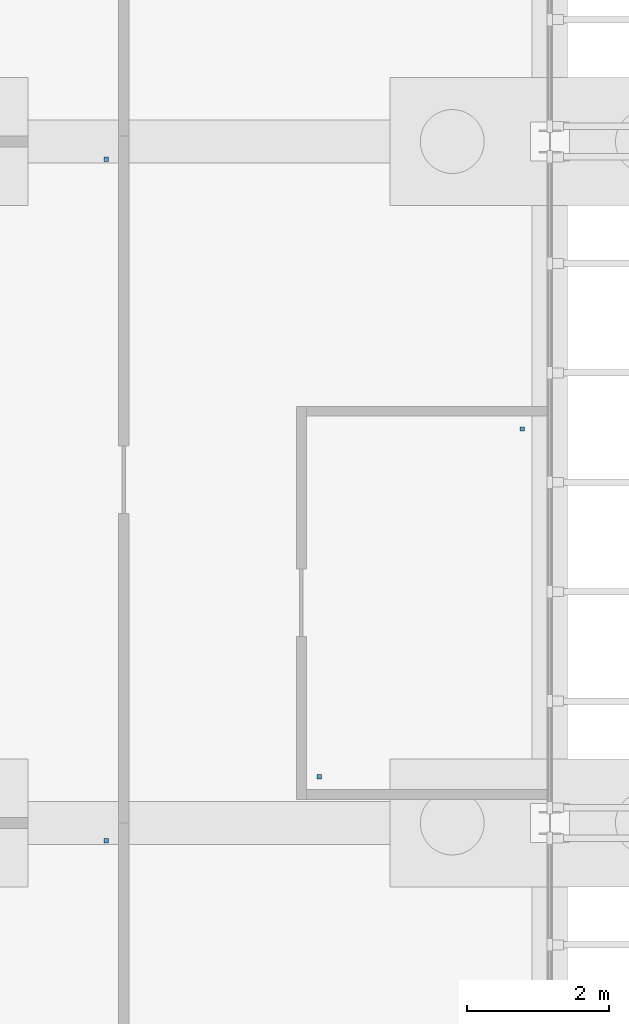
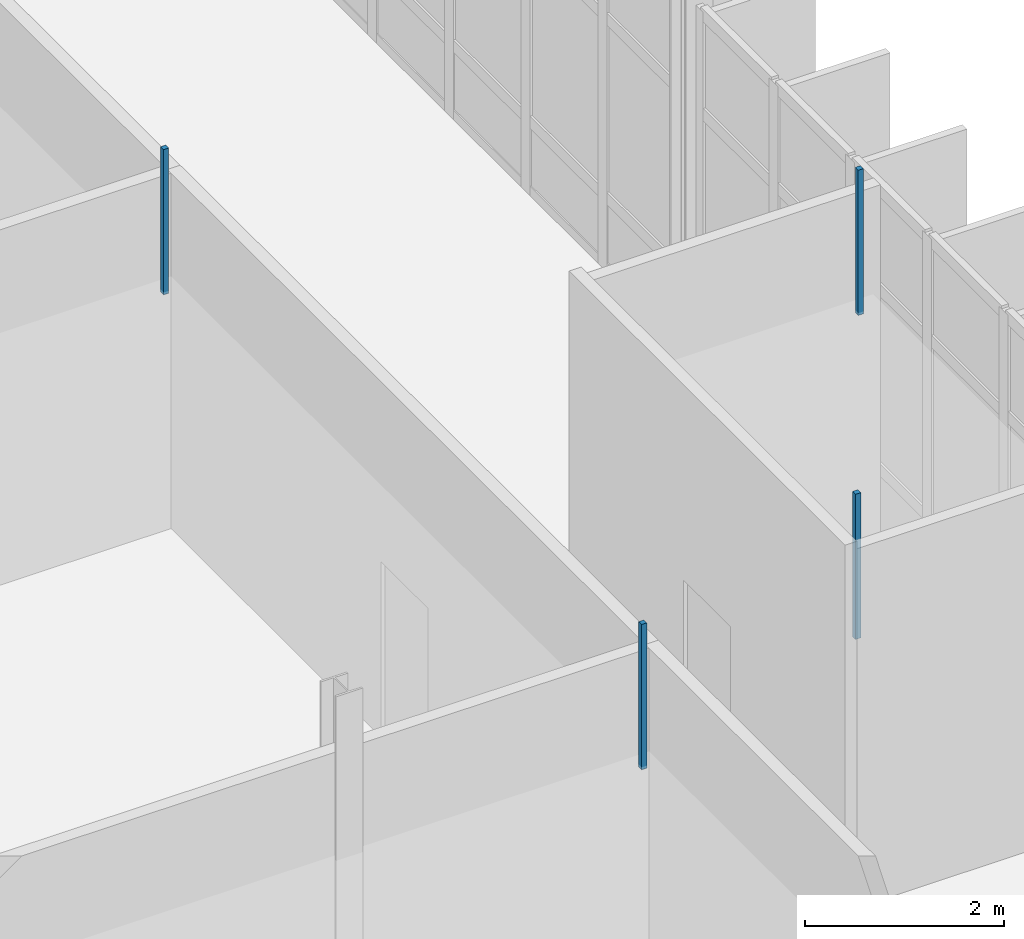
# One storey, part 84 of 111: 4 discrete accessories.
"""IFC4 building model written with IfcOpenShell, lengths in metres."""

from ifc_helpers import new_model, si_unit, direction, frame, origin, place, context, subcontext, project, spatial, polyline, outline, extrude, material, type_object, element, save


model = new_model("IFC4")

# Units and contexts
model_context = context("Model", 3, precision=1e-05, world=origin(), true_north=direction((0.0, 1.0)))
body_context = subcontext(model_context, "Body", "Model", "MODEL_VIEW")
ifc_project = project(units=[si_unit("LENGTHUNIT", "METRE"), si_unit("AREAUNIT", "SQUARE_METRE"), si_unit("VOLUMEUNIT", "CUBIC_METRE"), si_unit("PLANEANGLEUNIT", "RADIAN"), si_unit("MASSUNIT", "GRAM", prefix="KILO")], contexts=[model_context])

# Site, building, storey
site_placement = place(None, origin())
site = spatial("IfcSite", under=ifc_project, at=site_placement, CompositionType="ELEMENT")
building_placement = place(site_placement, origin())
building = spatial("IfcBuilding", under=site, at=building_placement, Name="Dunescarp Central Library", CompositionType="ELEMENT")
storey_placement = place(building_placement, origin())
storey = spatial("IfcBuildingStorey", under=building, at=storey_placement, Name="L00", CompositionType="ELEMENT", Elevation=0.0)

# Discrete accessories
ifc_material = material(Name="Stainless steel Grade 316L", Category="steel")
discrete_accessory_type = type_object("IfcDiscreteAccessoryType", Name="ARC-ACC-BRK", PredefinedType="BRACKET", material=ifc_material)
discrete_accessory_1_placement = place(storey_placement, frame((0.0, 0.0, 3.06005859375)))
element("IfcDiscreteAccessory", 1, at=discrete_accessory_1_placement, inside=storey, type_object=discrete_accessory_type, Name="L00 ceiling hanger CLG-L00-119-H1", PredefinedType="BRACKET", context=body_context, shape_type="SweptSolid", body=[
    extrude(outline(polyline([(25.52001953125, 71.02001953125), (25.580078125, 71.02001953125), (25.580078125, 71.080078125), (25.52001953125, 71.080078125), (25.52001953125, 71.02001953125)])), origin(), (0.0, 0.0, 1.0), 1.780029296875),
])
discrete_accessory_2_placement = place(storey_placement, frame((0.0, 0.0, 3.06005859375)))
element("IfcDiscreteAccessory", 2, at=discrete_accessory_2_placement, inside=storey, type_object=discrete_accessory_type, Name="L00 ceiling hanger CLG-L00-119-H2", PredefinedType="BRACKET", context=body_context, shape_type="SweptSolid", body=[
    extrude(outline(polyline([(28.3798828125, 75.919921875), (28.43994140625, 75.919921875), (28.43994140625, 75.97998046875), (28.3798828125, 75.97998046875), (28.3798828125, 75.919921875)])), origin(), (0.0, 0.0, 1.0), 1.780029296875),
])
discrete_accessory_3_placement = place(storey_placement, frame((0.0, 0.0, 3.06005859375)))
element("IfcDiscreteAccessory", 3, at=discrete_accessory_3_placement, inside=storey, type_object=discrete_accessory_type, Name="L00 ceiling hanger CLG-L00-120-H2", PredefinedType="BRACKET", context=body_context, shape_type="SweptSolid", body=[
    extrude(outline(polyline([(22.52001953125, 70.1201171875), (22.580078125, 70.1201171875), (22.580078125, 70.179931640625), (22.52001953125, 70.179931640625), (22.52001953125, 70.1201171875)])), origin(), (0.0, 0.0, 1.0), 1.780029296875),
])
discrete_accessory_4_placement = place(storey_placement, frame((0.0, 0.0, 3.06005859375)))
element("IfcDiscreteAccessory", 4, at=discrete_accessory_4_placement, inside=storey, type_object=discrete_accessory_type, Name="L00 ceiling hanger CLG-L00-121-H2", PredefinedType="BRACKET", context=body_context, shape_type="SweptSolid", body=[
    extrude(outline(polyline([(22.52001953125, 79.719970703125), (22.580078125, 79.719970703125), (22.580078125, 79.780029296875), (22.52001953125, 79.780029296875), (22.52001953125, 79.719970703125)])), origin(), (0.0, 0.0, 1.0), 1.780029296875),
])

save(model, "model.ifc")
